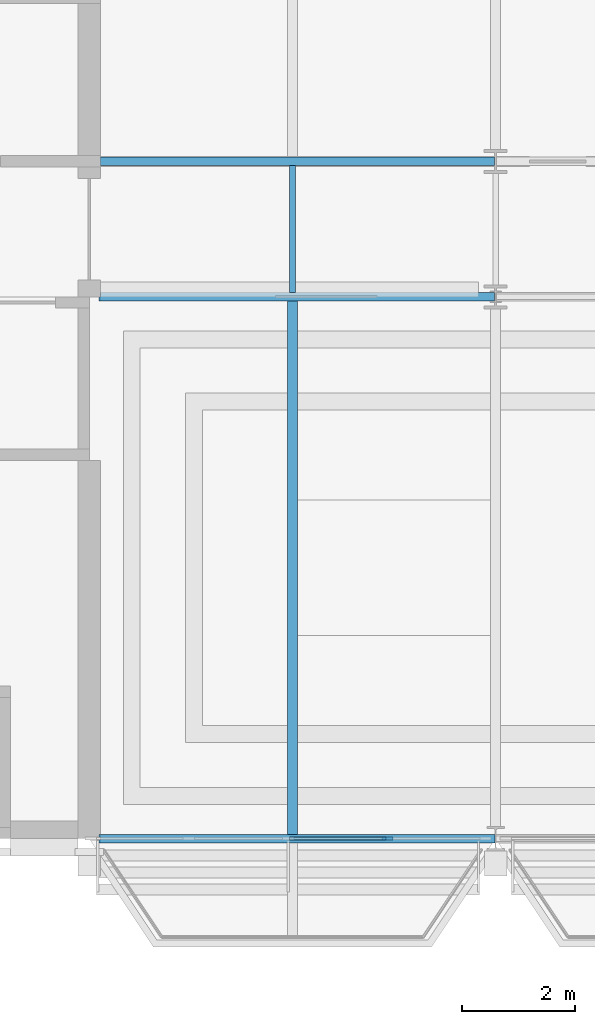
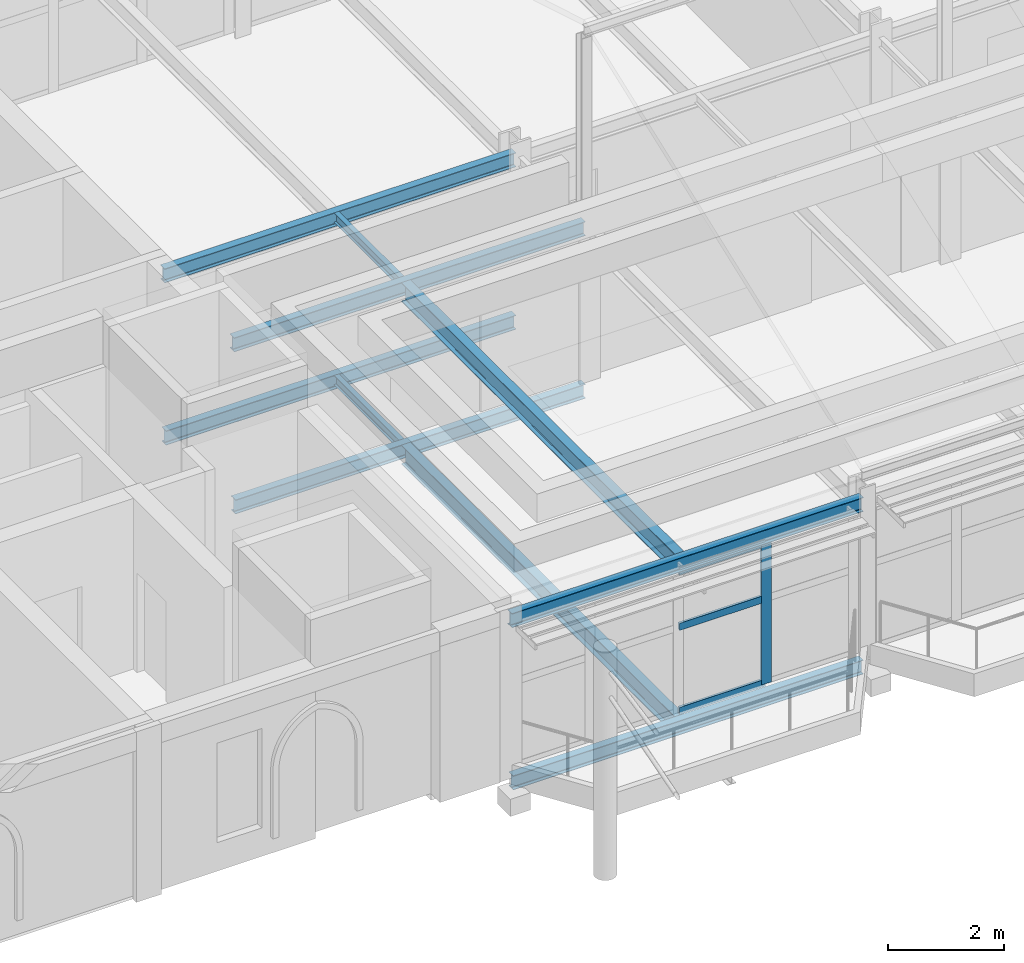
# One storey, part 32 of 68: 10 beams, 4 members, 1 element without a shape of its own.
"""IFC4 building model written with IfcOpenShell, lengths in metres."""

from ifc_helpers import new_model, si_unit, direction, frame, origin, origin_2d, place, context, subcontext, project, spatial, rectangle, i_section, extrude, material, material_profile, profile_set, type_object, element, aggregate, save


model = new_model("IFC4")

# Units and contexts
model_context = context("Model", 3, precision=1e-05, world=origin(), true_north=direction((0.0, 1.0)))
body_context = subcontext(model_context, "Body", "Model", "MODEL_VIEW")
ifc_project = project(units=[si_unit("LENGTHUNIT", "METRE"), si_unit("AREAUNIT", "SQUARE_METRE"), si_unit("VOLUMEUNIT", "CUBIC_METRE"), si_unit("PLANEANGLEUNIT", "RADIAN"), si_unit("MASSUNIT", "GRAM", prefix="KILO")], contexts=[model_context])

# Site, building, storey
site_placement = place(None, origin())
site = spatial("IfcSite", under=ifc_project, at=site_placement, CompositionType="ELEMENT")
building_placement = place(site_placement, origin())
building = spatial("IfcBuilding", under=site, at=building_placement, Name="Kupolbacken Congress Centre", CompositionType="ELEMENT")
storey_placement = place(building_placement, frame((0.0, 0.0, 25.199951171875)))
storey = spatial("IfcBuildingStorey", under=building, at=storey_placement, Name="L07", CompositionType="ELEMENT", Elevation=25.199951171875)

# Beams
ifc_material_1 = material(Name="Steel S355", Category="steel")
ifc_material_profile_1 = material_profile(ifc_material_1, i_section(OverallWidth=0.10009765625, OverallDepth=0.199951171875, WebThickness=0.005615234375, FlangeThickness=0.008544921875, FilletRadius=0.011962890625, at=origin_2d()), Name="IPE 200")
ifc_profile_set_1 = profile_set([ifc_material_profile_1], Name="Steel S355")
beam_type_1 = type_object("IfcBeamType", Name="B01 beam IPE 200", PredefinedType="BEAM", material=ifc_profile_set_1)
for number, where, z_axis, x_axis, name in (
    (1, (111.60009765625, 132.074951171875, -0.239990234375), (0.0, 1.0, 0.0), (-1.0, 0.0, 0.0), "S/floor/T/L07/S058"),
    (2, (111.60009765625, 132.074951171875, 3.18994140625), (0.0, 1.0, 0.0), (-1.0, 0.0, 0.0), "S/floor/T/ROOF/S058"),
):
    element("IfcBeam", number, at=place(storey_placement, frame(where, z_axis=z_axis, x_axis=x_axis)), inside=storey, type_object=beam_type_1, Name=name, PredefinedType="BEAM", context=body_context, shape_type="SweptSolid", body=[
        extrude(i_section(OverallWidth=0.10009765625, OverallDepth=0.199951171875, WebThickness=0.005615234375, FlangeThickness=0.008544921875, FilletRadius=0.011962890625, at=origin_2d()), origin(), (0.0, 0.0, 1.0), 2.25),
    ])
ifc_material_2 = material(Name="Steel S355", Category="steel")
ifc_material_profile_2 = material_profile(ifc_material_2, i_section(OverallWidth=0.14990234375, OverallDepth=0.300048828125, WebThickness=0.007080078125, FlangeThickness=0.0107421875, FilletRadius=0.014892578125, at=origin_2d()), Name="IPE 300")
ifc_profile_set_2 = profile_set([ifc_material_profile_2], Name="Steel S355")
beam_type_2 = type_object("IfcBeamType", Name="B04 beam IPE 300", PredefinedType="BEAM", material=ifc_profile_set_2)
beam_1_placement = place(storey_placement, frame((108.199951171875, 122.39990234375, -0.2900390625), z_axis=(1.0, 0.0, 0.0), x_axis=(0.0, 1.0, 0.0)))
element("IfcBeam", 3, at=beam_1_placement, inside=storey, type_object=beam_type_2, Name="S/floor/T/L07/R005", PredefinedType="BEAM", context=body_context, shape_type="SweptSolid", body=[
    extrude(i_section(OverallWidth=0.14990234375, OverallDepth=0.300048828125, WebThickness=0.007080078125, FlangeThickness=0.0107421875, FilletRadius=0.014892578125, at=origin_2d()), origin(), (0.0, 0.0, 1.0), 6.989501953125),
])
for number, where, z_axis, x_axis, name in (
    (4, (108.199951171875, 132.0, -0.2900390625), (1.0, 0.0, 0.0), (0.0, 1.0, 0.0), "S/floor/T/L07/R013"),
    (5, (108.199951171875, 134.39990234375, -0.2900390625), (1.0, 0.0, 0.0), (0.0, 1.0, 0.0), "S/floor/T/L07/R021"),
):
    element("IfcBeam", number, at=place(storey_placement, frame(where, z_axis=z_axis, x_axis=x_axis)), inside=storey, type_object=beam_type_2, Name=name, PredefinedType="BEAM", context=body_context, shape_type="SweptSolid", body=[
        extrude(i_section(OverallWidth=0.14990234375, OverallDepth=0.300048828125, WebThickness=0.007080078125, FlangeThickness=0.0107421875, FilletRadius=0.014892578125, at=origin_2d()), origin(), (0.0, 0.0, 1.0), 6.983642578125),
    ])
beam_2_placement = place(storey_placement, frame((108.175048828125, 122.39990234375, 3.14013671875), z_axis=(1.0, 0.0, 0.0), x_axis=(0.0, 1.0, 0.0)))
element("IfcBeam", 6, at=beam_2_placement, inside=storey, type_object=beam_type_2, Name="S/floor/T/ROOF/R005", PredefinedType="BEAM", context=body_context, shape_type="SweptSolid", body=[
    extrude(i_section(OverallWidth=0.14990234375, OverallDepth=0.300048828125, WebThickness=0.007080078125, FlangeThickness=0.0107421875, FilletRadius=0.014892578125, at=origin_2d()), origin(), (0.0, 0.0, 1.0), 7.014404296875),
])
for number, where, z_axis, x_axis, name in (
    (7, (108.175048828125, 132.0, 3.14013671875), (1.0, 0.0, 0.0), (0.0, 1.0, 0.0), "S/floor/T/ROOF/R013"),
    (8, (108.175048828125, 134.39990234375, 3.14013671875), (1.0, 0.0, 0.0), (0.0, 1.0, 0.0), "S/floor/T/ROOF/R021"),
):
    element("IfcBeam", number, at=place(storey_placement, frame(where, z_axis=z_axis, x_axis=x_axis)), inside=storey, type_object=beam_type_2, Name=name, PredefinedType="BEAM", context=body_context, shape_type="SweptSolid", body=[
        extrude(i_section(OverallWidth=0.14990234375, OverallDepth=0.300048828125, WebThickness=0.007080078125, FlangeThickness=0.0107421875, FilletRadius=0.014892578125, at=origin_2d()), origin(), (0.0, 0.0, 1.0), 7.008544921875),
    ])
ifc_material_3 = material(Name="Steel S355", Category="steel")
ifc_material_profile_3 = material_profile(ifc_material_3, i_section(OverallWidth=0.179931640625, OverallDepth=0.39990234375, WebThickness=0.008544921875, FlangeThickness=0.013427734375, FilletRadius=0.02099609375, at=origin_2d()), Name="IPE 400")
ifc_profile_set_3 = profile_set([ifc_material_profile_3], Name="Steel S355")
beam_type_3 = type_object("IfcBeamType", Name="B07 beam IPE 400", PredefinedType="BEAM", material=ifc_profile_set_3)
for number, where, z_axis, x_axis, name in (
    (9, (111.60009765625, 122.47509765625, -0.33984375), (0.0, 1.0, 0.0), (-1.0, 0.0, 0.0), "S/floor/T/L07/S057"),
    (10, (111.60009765625, 122.47509765625, 3.090087890625), (0.0, 1.0, 0.0), (-1.0, 0.0, 0.0), "S/floor/T/ROOF/S057"),
):
    element("IfcBeam", number, at=place(storey_placement, frame(where, z_axis=z_axis, x_axis=x_axis)), inside=storey, type_object=beam_type_3, Name=name, PredefinedType="BEAM", context=body_context, shape_type="SweptSolid", body=[
        extrude(i_section(OverallWidth=0.179931640625, OverallDepth=0.39990234375, WebThickness=0.008544921875, FlangeThickness=0.013427734375, FilletRadius=0.02099609375, at=origin_2d()), origin(), (0.0, 0.0, 1.0), 9.449951171875),
    ])

# Curtain wall, members
ifc_material_4 = material(Name="Aluminium mullion-transom frame with glass", Category="aluminium")
curtain_wall_type = type_object("IfcCurtainWallType", Name="CW1 curtain wall 7200x3600", PredefinedType="NOTDEFINED", material=ifc_material_4)
curtain_wall_placement = place(storey_placement, origin())
curtain_wall = element("IfcCurtainWall", 11, at=curtain_wall_placement, inside=storey, type_object=curtain_wall_type, Name="E/T/S/L07/117/g0", PredefinedType="NOTDEFINED")
ifc_material_5 = material(Name="Aluminium alloy", Category="aluminium")
ifc_material_profile_4 = material_profile(ifc_material_5, rectangle(XDim=0.050048828125, YDim=0.199951171875, at=origin_2d()), Name="50 x 200")
ifc_profile_set_4 = profile_set([ifc_material_profile_4], Name="Aluminium alloy")
member_type_1 = type_object("IfcMemberType", Name="MU2 mullion 50x200", PredefinedType="MULLION", material=ifc_profile_set_4)
member_1_placement = place(storey_placement, frame((113.284912109375, 122.39990234375, 0.0), z_axis=(0.0, 0.0, 1.0), x_axis=(0.0, 1.0, 0.0)))
member_1 = element("IfcMember", 12, at=member_1_placement, type_object=member_type_1, Name="CW1 mullion 4", PredefinedType="MULLION", context=body_context, shape_type="SweptSolid", body=[
    extrude(rectangle(XDim=0.050048828125, YDim=0.199951171875, at=origin_2d()), origin(), (0.0, 0.0, 1.0), 2.989990234375),
])
ifc_material_6 = material(Name="Aluminium alloy", Category="aluminium")
ifc_material_profile_5 = material_profile(ifc_material_6, rectangle(XDim=0.050048828125, YDim=0.14990234375, at=origin_2d()), Name="50 x 150")
ifc_profile_set_5 = profile_set([ifc_material_profile_5], Name="Aluminium alloy")
member_type_2 = type_object("IfcMemberType", Name="TR2 transom 50x150", PredefinedType="MULLION", material=ifc_profile_set_5)
member_2_placement = place(storey_placement, frame((111.54833984375, 122.39990234375, 0.025146484375), z_axis=(1.0, 0.0, 0.0), x_axis=(0.0, 1.0, 0.0)))
member_2 = element("IfcMember", 13, at=member_2_placement, type_object=member_type_2, Name="CW1 transom 3.1", PredefinedType="MULLION", context=body_context, shape_type="SweptSolid", body=[
    extrude(rectangle(XDim=0.050048828125, YDim=0.14990234375, at=origin_2d()), origin(), (0.0, 0.0, 1.0), 1.71142578125),
])
member_3_placement = place(storey_placement, frame((111.54833984375, 122.39990234375, 1.800048828125), z_axis=(1.0, 0.0, 0.0), x_axis=(0.0, 1.0, 0.0)))
member_3 = element("IfcMember", 14, at=member_3_placement, type_object=member_type_2, Name="CW1 transom 3.2", PredefinedType="MULLION", context=body_context, shape_type="SweptSolid", body=[
    extrude(rectangle(XDim=0.050048828125, YDim=0.14990234375, at=origin_2d()), origin(), (0.0, 0.0, 1.0), 1.71142578125),
])
member_4_placement = place(storey_placement, frame((111.54833984375, 122.39990234375, 2.965087890625), z_axis=(1.0, 0.0, 0.0), x_axis=(0.0, 1.0, 0.0)))
member_4 = element("IfcMember", 15, at=member_4_placement, type_object=member_type_2, Name="CW1 transom 3.3", PredefinedType="MULLION", context=body_context, shape_type="SweptSolid", body=[
    extrude(rectangle(XDim=0.050048828125, YDim=0.14990234375, at=origin_2d()), origin(), (0.0, 0.0, 1.0), 1.71142578125),
])
aggregate(curtain_wall, [member_1, member_2, member_3, member_4])

save(model, "model.ifc")
